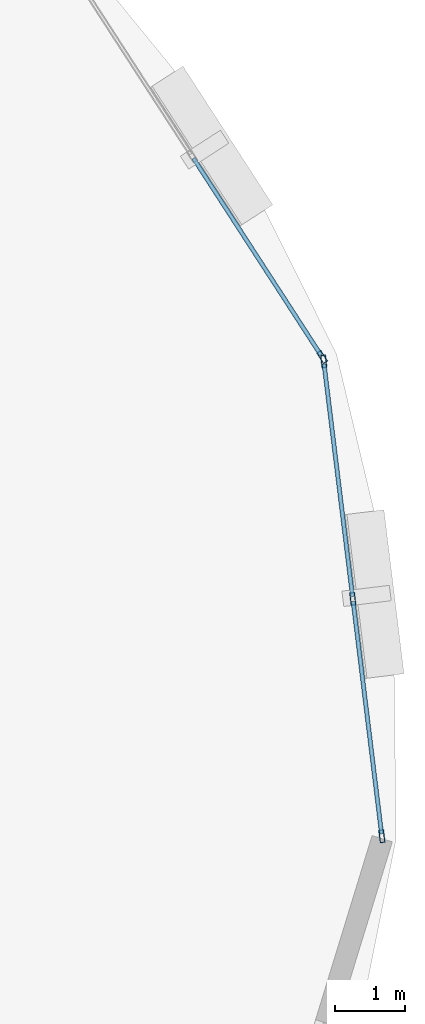
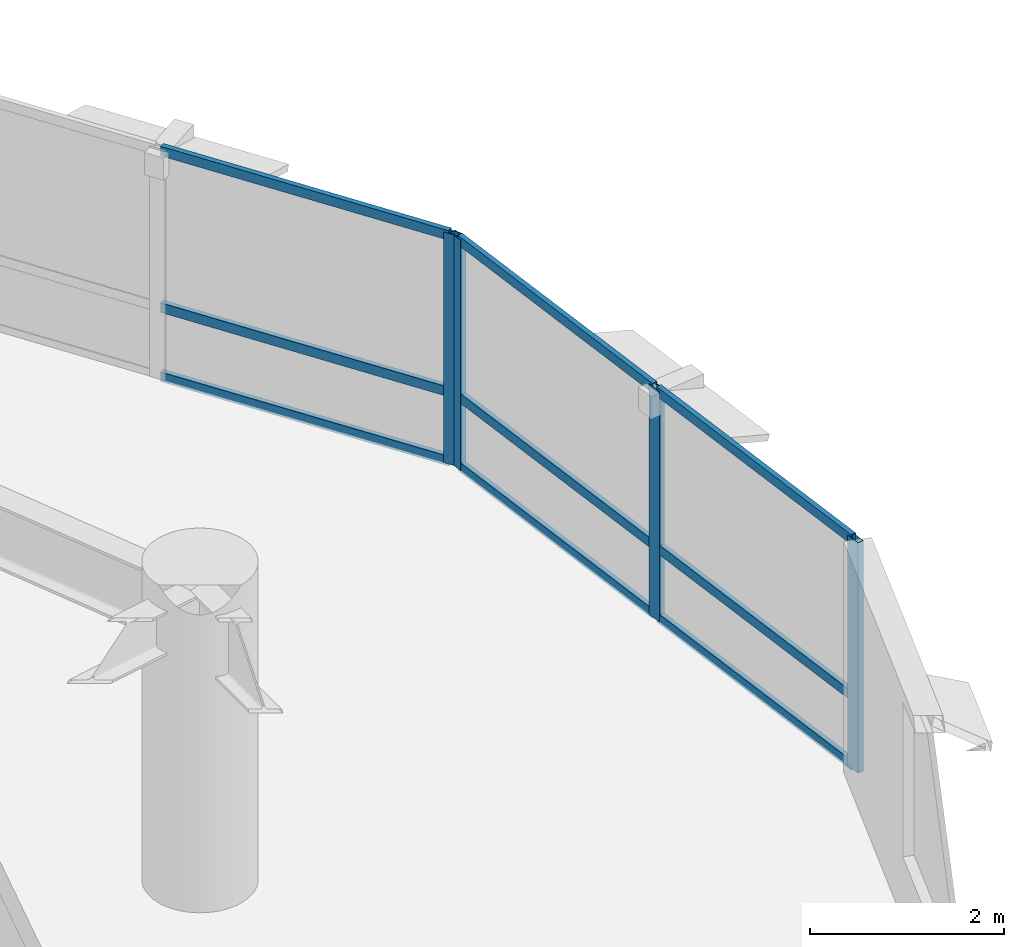
# One storey, part 6 of 15: 13 members, 2 elements without a shape of their own.
"""IFC4 building model written with IfcOpenShell, lengths in metres."""

from ifc_helpers import new_model, si_unit, direction, frame, origin, origin_2d, place, context, subcontext, project, spatial, hollow_rectangle, extrude, material, layer, layer_set, material_profile, profile_set, type_object, element, aggregate, save


model = new_model("IFC4")

# Units and contexts
model_context = context("Model", 3, precision=1e-05, world=origin(), true_north=direction((0.0, 1.0)))
body_context = subcontext(model_context, "Body", "Model", "MODEL_VIEW")
ifc_project = project(units=[si_unit("LENGTHUNIT", "METRE"), si_unit("AREAUNIT", "SQUARE_METRE"), si_unit("VOLUMEUNIT", "CUBIC_METRE"), si_unit("PLANEANGLEUNIT", "RADIAN"), si_unit("MASSUNIT", "GRAM", prefix="KILO"), si_unit("THERMODYNAMICTEMPERATUREUNIT", "KELVIN"), si_unit("POWERUNIT", "WATT")], contexts=[model_context])

# Site, building, storey
site_placement = place(None, origin())
site = spatial("IfcSite", under=ifc_project, at=site_placement, CompositionType="ELEMENT")
building_placement = place(site_placement, origin())
building = spatial("IfcBuilding", under=site, at=building_placement, Name="Ocrelia Relay Tower", CompositionType="ELEMENT")
storey_placement = place(building_placement, frame((0.0, 0.0, 117.800048828125)))
storey = spatial("IfcBuildingStorey", under=building, at=storey_placement, Name="L27", CompositionType="ELEMENT", Elevation=117.800048828125)

# Curtain wall, member
ifc_material_1 = material(Name="Aluminium and solar-control low-E glass", Category="aluminium")
ifc_layer = layer(ifc_material_1, 0.179931640625, Name="Aluminium and solar-control low-E glass")
ifc_layer_set = layer_set([ifc_layer], Name="Aluminium and solar-control low-E glass")
curtain_wall_type = type_object("IfcCurtainWallType", Name="CW-SYS-Z2-SWIT", PredefinedType="NOTDEFINED", material=ifc_layer_set)
curtain_wall_1_placement = place(storey_placement, origin())
curtain_wall_1 = element("IfcCurtainWall", 1, at=curtain_wall_1_placement, inside=storey, type_object=curtain_wall_type, Name="L27 Elliptical Tower Curtain Wall Bay 01", PredefinedType="NOTDEFINED")
ifc_material_2 = material(Name="Anodised bronze aluminium", Category="aluminium")
ifc_material_profile_1 = material_profile(ifc_material_2, hollow_rectangle(XDim=0.070068359375, YDim=0.179931640625, WallThickness=0.006103515625, at=origin_2d()), Name="CW-MUL-180x70")
ifc_profile_set_1 = profile_set([ifc_material_profile_1], Name="Anodised bronze aluminium")
member_type_1 = type_object("IfcMemberType", Name="CW-SYS-Z2-SWIT-MUL", PredefinedType="MULLION", material=ifc_profile_set_1)
member_1_placement = place(storey_placement, frame((58.044677734375, 34.76416015625, 0.0), z_axis=(0.0, 0.0, 1.0), x_axis=(-0.839437918968, -0.543455591745, 0.0)))
member_1 = element("IfcMember", 2, at=member_1_placement, type_object=member_type_1, Name="CW-Z2 mullion 1", PredefinedType="MULLION", context=body_context, shape_type="SweptSolid", body=[
    extrude(hollow_rectangle(XDim=0.070068359375, YDim=0.179931640625, WallThickness=0.006103515625, at=origin_2d()), origin(), (0.0, 0.0, 1.0), 2.89990234375),
])

# Curtain wall, members
curtain_wall_2_placement = place(storey_placement, origin())
curtain_wall_2 = element("IfcCurtainWall", 3, at=curtain_wall_2_placement, inside=storey, type_object=curtain_wall_type, Name="L27 Elliptical Tower Curtain Wall Bay 18", PredefinedType="NOTDEFINED")
member_2_placement = place(storey_placement, frame((58.8955078125, 27.94140625, 0.0), z_axis=(0.0, 0.0, 1.0), x_axis=(-0.992588034957, -0.121527745226, 0.0)))
member_2 = element("IfcMember", 4, at=member_2_placement, type_object=member_type_1, Name="CW-Z2 mullion 1", PredefinedType="MULLION", context=body_context, shape_type="SweptSolid", body=[
    extrude(hollow_rectangle(XDim=0.070068359375, YDim=0.179931640625, WallThickness=0.006103515625, at=origin_2d()), origin(), (0.0, 0.0, 1.0), 2.89990234375),
])
member_3_placement = place(storey_placement, frame((58.481689453125, 31.320556640625, 0.0), z_axis=(0.0, 0.0, 1.0), x_axis=(-0.992588034957, -0.121527745226, 0.0)))
member_3 = element("IfcMember", 5, at=member_3_placement, type_object=member_type_1, Name="CW-Z2 mullion 2", PredefinedType="MULLION", context=body_context, shape_type="SweptSolid", body=[
    extrude(hollow_rectangle(XDim=0.070068359375, YDim=0.179931640625, WallThickness=0.006103515625, at=origin_2d()), origin(), (0.0, 0.0, 1.0), 2.89990234375),
])
member_4_placement = place(storey_placement, frame((58.068115234375, 34.699951171875, 0.0), z_axis=(0.0, 0.0, 1.0), x_axis=(-0.992588034957, -0.121527745226, 0.0)))
member_4 = element("IfcMember", 6, at=member_4_placement, type_object=member_type_1, Name="CW-Z2 mullion 3", PredefinedType="MULLION", context=body_context, shape_type="SweptSolid", body=[
    extrude(hollow_rectangle(XDim=0.070068359375, YDim=0.179931640625, WallThickness=0.006103515625, at=origin_2d()), origin(), (0.0, 0.0, 1.0), 2.89990234375),
])

# Member
ifc_material_profile_2 = material_profile(ifc_material_2, hollow_rectangle(XDim=0.06005859375, YDim=0.1201171875, WallThickness=0.0048828125, at=origin_2d()), Name="CW-TRN-120x60")
ifc_profile_set_2 = profile_set([ifc_material_profile_2], Name="Anodised bronze aluminium")
member_type_2 = type_object("IfcMemberType", Name="CW-SYS-Z2-SWIT-TRN", PredefinedType="USERDEFINED", material=ifc_profile_set_2)
member_5_placement = place(storey_placement, frame((58.02587890625, 34.79345703125, 0.030029296875), z_axis=(-0.543481977166, 0.839420836348, 0.0), x_axis=(-0.839420836348, -0.543481977166, 0.0)))
member_5 = element("IfcMember", 7, at=member_5_placement, type_object=member_type_2, Name="CW-Z2 transom 1.1", ObjectType="TRANSOM", PredefinedType="USERDEFINED", context=body_context, shape_type="SweptSolid", body=[
    extrude(hollow_rectangle(XDim=0.06005859375, YDim=0.1201171875, WallThickness=0.0048828125, at=origin_2d()), origin(), (0.0, 0.0, 1.0), 3.33447265625),
])

member_6_placement = place(storey_placement, frame((58.02587890625, 34.79345703125, 0.89990234375), z_axis=(-0.543481977166, 0.839420836348, 0.0), x_axis=(-0.839420836348, -0.543481977166, 0.0)))
member_6 = element("IfcMember", 8, at=member_6_placement, type_object=member_type_2, Name="CW-Z2 transom 1.2", ObjectType="TRANSOM", PredefinedType="USERDEFINED", context=body_context, shape_type="SweptSolid", body=[
    extrude(hollow_rectangle(XDim=0.06005859375, YDim=0.1201171875, WallThickness=0.0048828125, at=origin_2d()), origin(), (0.0, 0.0, 1.0), 3.33447265625),
])

member_7_placement = place(storey_placement, frame((58.02587890625, 34.79345703125, 2.869873046875), z_axis=(-0.543481977166, 0.839420836348, 0.0), x_axis=(-0.839420836348, -0.543481977166, 0.0)))
member_7 = element("IfcMember", 9, at=member_7_placement, type_object=member_type_2, Name="CW-Z2 transom 1.3", ObjectType="TRANSOM", PredefinedType="USERDEFINED", context=body_context, shape_type="SweptSolid", body=[
    extrude(hollow_rectangle(XDim=0.06005859375, YDim=0.1201171875, WallThickness=0.0048828125, at=origin_2d()), origin(), (0.0, 0.0, 1.0), 3.33447265625),
])

aggregate(curtain_wall_1, [member_1, member_5, member_6, member_7])

member_8_placement = place(storey_placement, frame((58.891357421875, 27.97607421875, 0.030029296875), z_axis=(-0.121538246197, 0.992586749212, 0.0), x_axis=(-0.992586749212, -0.121538246197, 0.0)))
member_8 = element("IfcMember", 10, at=member_8_placement, type_object=member_type_2, Name="CW-Z2 transom 1.1", ObjectType="TRANSOM", PredefinedType="USERDEFINED", context=body_context, shape_type="SweptSolid", body=[
    extrude(hollow_rectangle(XDim=0.06005859375, YDim=0.1201171875, WallThickness=0.0048828125, at=origin_2d()), origin(), (0.0, 0.0, 1.0), 3.33447265625),
])

member_9_placement = place(storey_placement, frame((58.891357421875, 27.97607421875, 0.89990234375), z_axis=(-0.121538246197, 0.992586749212, 0.0), x_axis=(-0.992586749212, -0.121538246197, 0.0)))
member_9 = element("IfcMember", 11, at=member_9_placement, type_object=member_type_2, Name="CW-Z2 transom 1.2", ObjectType="TRANSOM", PredefinedType="USERDEFINED", context=body_context, shape_type="SweptSolid", body=[
    extrude(hollow_rectangle(XDim=0.06005859375, YDim=0.1201171875, WallThickness=0.0048828125, at=origin_2d()), origin(), (0.0, 0.0, 1.0), 3.33447265625),
])

member_10_placement = place(storey_placement, frame((58.891357421875, 27.97607421875, 2.869873046875), z_axis=(-0.121538246197, 0.992586749212, 0.0), x_axis=(-0.992586749212, -0.121538246197, 0.0)))
member_10 = element("IfcMember", 12, at=member_10_placement, type_object=member_type_2, Name="CW-Z2 transom 1.3", ObjectType="TRANSOM", PredefinedType="USERDEFINED", context=body_context, shape_type="SweptSolid", body=[
    extrude(hollow_rectangle(XDim=0.06005859375, YDim=0.1201171875, WallThickness=0.0048828125, at=origin_2d()), origin(), (0.0, 0.0, 1.0), 3.33447265625),
])

member_11_placement = place(storey_placement, frame((58.4775390625, 31.35546875, 0.030029296875), z_axis=(-0.121538246197, 0.992586749212, 0.0), x_axis=(-0.992586749212, -0.121538246197, 0.0)))
member_11 = element("IfcMember", 13, at=member_11_placement, type_object=member_type_2, Name="CW-Z2 transom 2.1", ObjectType="TRANSOM", PredefinedType="USERDEFINED", context=body_context, shape_type="SweptSolid", body=[
    extrude(hollow_rectangle(XDim=0.06005859375, YDim=0.1201171875, WallThickness=0.0048828125, at=origin_2d()), origin(), (0.0, 0.0, 1.0), 3.33447265625),
])

member_12_placement = place(storey_placement, frame((58.4775390625, 31.35546875, 0.89990234375), z_axis=(-0.121538246197, 0.992586749212, 0.0), x_axis=(-0.992586749212, -0.121538246197, 0.0)))
member_12 = element("IfcMember", 14, at=member_12_placement, type_object=member_type_2, Name="CW-Z2 transom 2.2", ObjectType="TRANSOM", PredefinedType="USERDEFINED", context=body_context, shape_type="SweptSolid", body=[
    extrude(hollow_rectangle(XDim=0.06005859375, YDim=0.1201171875, WallThickness=0.0048828125, at=origin_2d()), origin(), (0.0, 0.0, 1.0), 3.33447265625),
])

member_13_placement = place(storey_placement, frame((58.4775390625, 31.35546875, 2.869873046875), z_axis=(-0.121538246197, 0.992586749212, 0.0), x_axis=(-0.992586749212, -0.121538246197, 0.0)))
member_13 = element("IfcMember", 15, at=member_13_placement, type_object=member_type_2, Name="CW-Z2 transom 2.3", ObjectType="TRANSOM", PredefinedType="USERDEFINED", context=body_context, shape_type="SweptSolid", body=[
    extrude(hollow_rectangle(XDim=0.06005859375, YDim=0.1201171875, WallThickness=0.0048828125, at=origin_2d()), origin(), (0.0, 0.0, 1.0), 3.33447265625),
])

aggregate(curtain_wall_2, [member_2, member_3, member_4, member_8, member_9, member_10, member_11, member_12, member_13])

save(model, "model.ifc")
